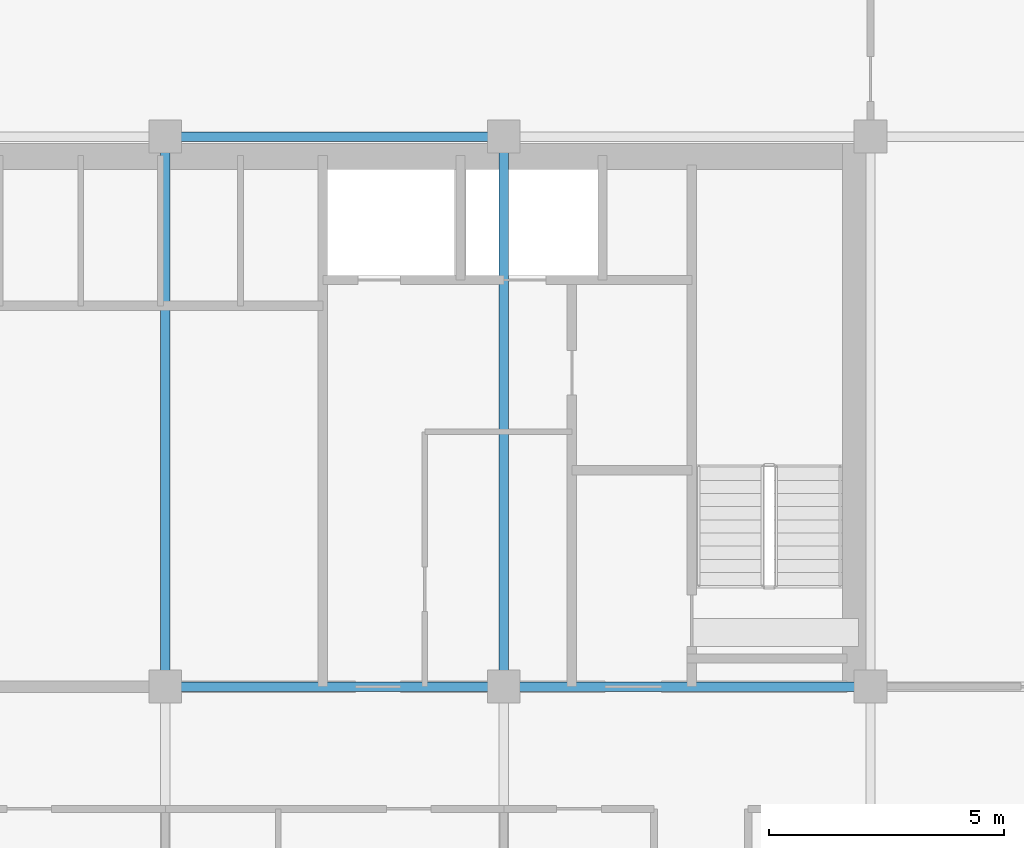
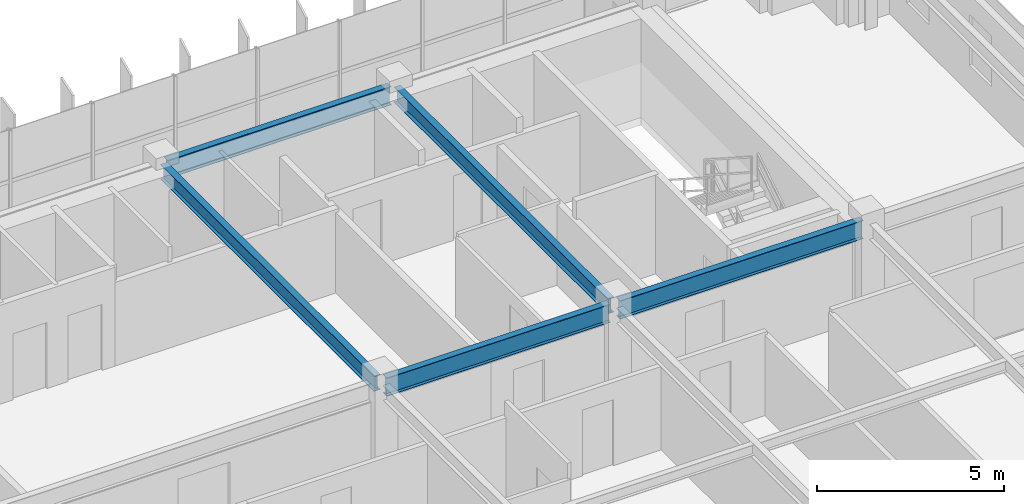
# One storey, part 11 of 24: 5 beams.
"""IFC4 building model written with IfcOpenShell, lengths in metres."""

from ifc_helpers import new_model, si_unit, direction, frame, origin, origin_2d, place, context, subcontext, project, spatial, i_section, extrude, source, transform, mapped, material, material_profile, profile_set, type_object, element, save


model = new_model("IFC4")

# Units and contexts
model_context = context("Model", 3, precision=1e-05, world=origin(), true_north=direction((0.0, 1.0)))
body_context = subcontext(model_context, "Body", "Model", "MODEL_VIEW")
ifc_project = project(units=[si_unit("LENGTHUNIT", "METRE"), si_unit("AREAUNIT", "SQUARE_METRE"), si_unit("VOLUMEUNIT", "CUBIC_METRE"), si_unit("PLANEANGLEUNIT", "RADIAN"), si_unit("MASSUNIT", "GRAM", prefix="KILO")], contexts=[model_context])

# Site, building, storey
site_placement = place(None, origin())
site = spatial("IfcSite", under=ifc_project, at=site_placement, CompositionType="ELEMENT")
building_placement = place(site_placement, origin())
building = spatial("IfcBuilding", under=site, at=building_placement, Name="Trelvane Seafront Commons", CompositionType="ELEMENT")
storey_placement = place(building_placement, frame((0.0, 0.0, 178.89990234375)))
storey = spatial("IfcBuildingStorey", under=building, at=storey_placement, Name="L47", CompositionType="ELEMENT", Elevation=178.89990234375)

# Beams
ifc_material = material(Name="Steel SM355 (S355)", Category="steel")
ifc_material_profile_1 = material_profile(ifc_material, i_section(OverallWidth=0.199951171875, OverallDepth=0.5, WebThickness=0.010009765625, FlangeThickness=0.01611328125, at=origin_2d()), Name="H-500x200x10x16")
ifc_profile_set_1 = profile_set([ifc_material_profile_1], Name="Steel SM355 (S355)")
beam_type_1 = type_object("IfcBeamType", Name="STR-BM-H500", PredefinedType="BEAM", material=ifc_profile_set_1)
shared_shape_1 = source(origin(), body_context, "Body", "SweptSolid", [
    extrude(i_section(OverallWidth=0.199951171875, OverallDepth=0.5, WebThickness=0.010009765625, FlangeThickness=0.01611328125, at=origin_2d()), origin(), (0.0, 0.0, 1.0), 11.39990234375),
])
for number, where, z_axis, x_axis, name in (
    (1, (43.800048828125, 33.550048828125, 2.97021484375), (0.0, 1.0, 0.0), (-1.0, 0.0, 0.0), "L47 Primary Girder G-43"),
    (2, (51.0, 33.550048828125, 2.97021484375), (0.0, 1.0, 0.0), (-1.0, 0.0, 0.0), "L47 Primary Girder G-46"),
):
    element("IfcBeam", number, at=place(storey_placement, frame(where, z_axis=z_axis, x_axis=x_axis)), inside=storey, type_object=beam_type_1, Name=name, PredefinedType="BEAM", context=body_context, shape_type="MappedRepresentation", body=[
        mapped(shared_shape_1, transform((0.0, 0.0, 0.0), x_axis=(1.0, 0.0, 0.0), y_axis=(0.0, 1.0, 0.0), z_axis=(0.0, 0.0, 1.0), scale=1.0)),
    ])
ifc_material_profile_2 = material_profile(ifc_material, i_section(OverallWidth=0.199951171875, OverallDepth=0.60009765625, WebThickness=0.010986328125, FlangeThickness=0.01708984375, at=origin_2d()), Name="H-600x200x11x17")
ifc_profile_set_2 = profile_set([ifc_material_profile_2], Name="Steel SM355 (S355)")
beam_type_2 = type_object("IfcBeamType", Name="STR-SPD-H600", PredefinedType="SPANDREL", material=ifc_profile_set_2)
shared_shape_2 = source(origin(), body_context, "Body", "SweptSolid", [
    extrude(i_section(OverallWidth=0.199951171875, OverallDepth=0.60009765625, WebThickness=0.010986328125, FlangeThickness=0.01708984375, at=origin_2d()), origin(), (0.0, 0.0, 1.0), 7.5),
])
beam_placement = place(storey_placement, frame((51.14990234375, 33.39990234375, 2.920166015625), z_axis=(1.0, 0.0, 0.0), x_axis=(0.0, 1.0, 0.0)))
element("IfcBeam", 3, at=beam_placement, inside=storey, type_object=beam_type_2, Name="L47 Primary Girder G-20", PredefinedType="SPANDREL", context=body_context, shape_type="MappedRepresentation", body=[
    mapped(shared_shape_2, transform((0.0, 0.0, 0.0), x_axis=(1.0, 0.0, 0.0), y_axis=(0.0, 1.0, 0.0), z_axis=(0.0, 0.0, 1.0), scale=1.0)),
])
shared_shape_3 = source(origin(), body_context, "Body", "SweptSolid", [
    extrude(i_section(OverallWidth=0.199951171875, OverallDepth=0.60009765625, WebThickness=0.010986328125, FlangeThickness=0.01708984375, at=origin_2d()), origin(), (0.0, 0.0, 1.0), 6.900146484375),
])
for number, where, z_axis, x_axis, name in (
    (4, (43.949951171875, 33.39990234375, 2.920166015625), (1.0, 0.0, 0.0), (0.0, 1.0, 0.0), "L47 Primary Girder G-19"),
    (5, (43.949951171875, 45.10009765625, 2.920166015625), (1.0, 0.0, 0.0), (0.0, 1.0, 0.0), "L47 Primary Girder G-26"),
):
    element("IfcBeam", number, at=place(storey_placement, frame(where, z_axis=z_axis, x_axis=x_axis)), inside=storey, type_object=beam_type_2, Name=name, PredefinedType="SPANDREL", context=body_context, shape_type="MappedRepresentation", body=[
        mapped(shared_shape_3, transform((0.0, 0.0, 0.0), x_axis=(1.0, 0.0, 0.0), y_axis=(0.0, 1.0, 0.0), z_axis=(0.0, 0.0, 1.0), scale=1.0)),
    ])

save(model, "model.ifc")
